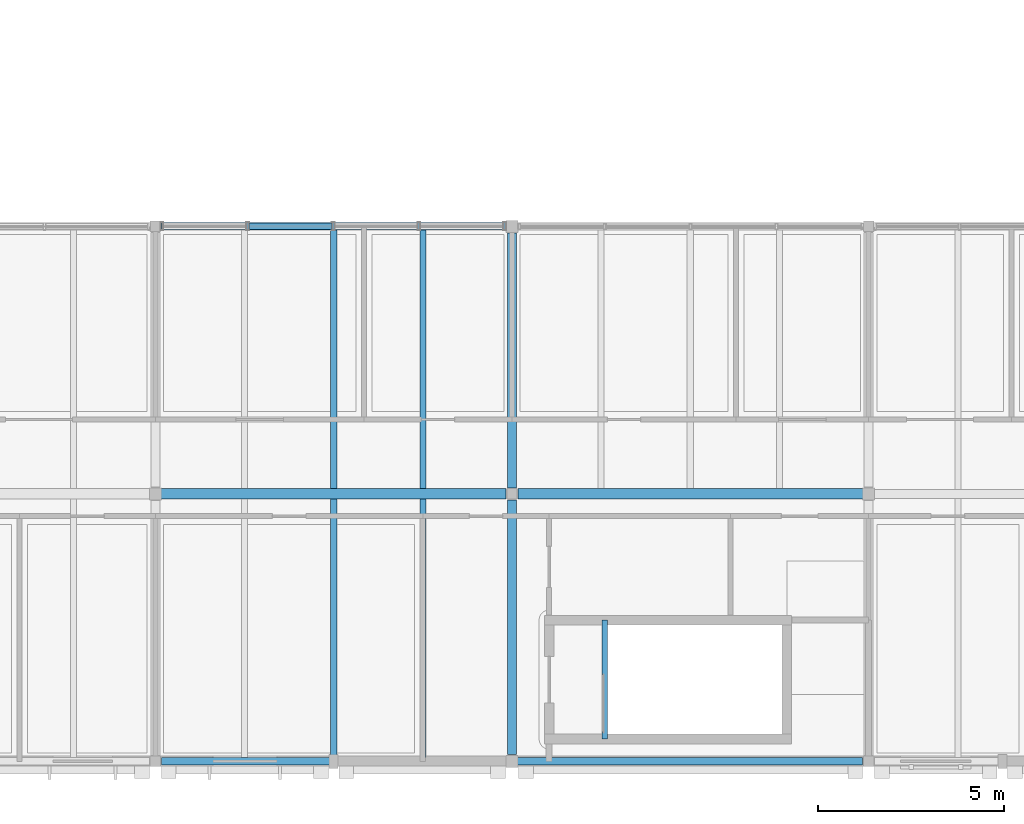
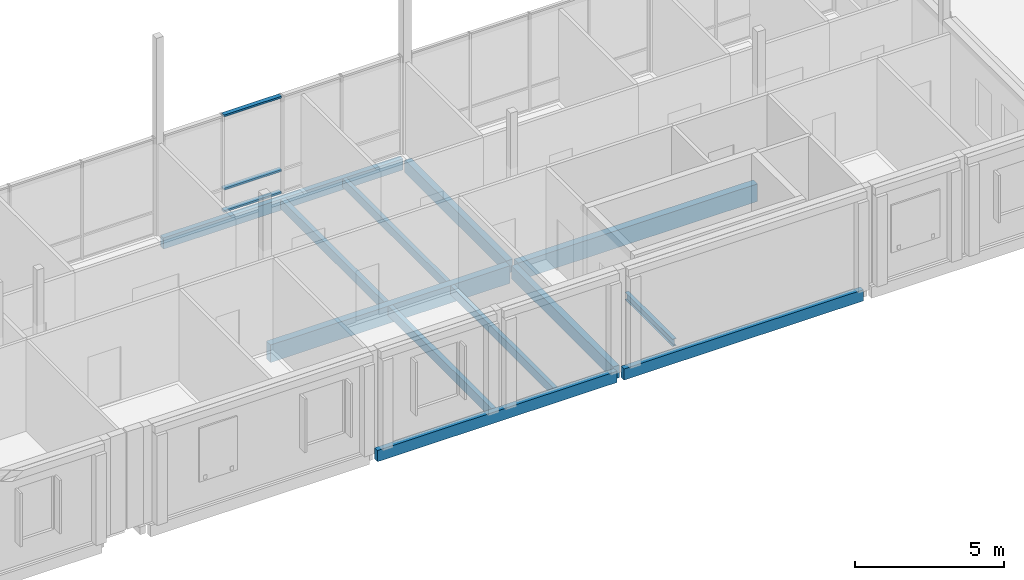
# One storey, part 22 of 57: 12 beams, 3 members, 1 element without a shape of its own.
"""IFC4 building model written with IfcOpenShell, lengths in metres."""

from ifc_helpers import new_model, si_unit, direction, frame, origin, origin_2d, place, context, subcontext, project, spatial, rectangle, hollow_rectangle, i_section, extrude, material, material_profile, profile_set, type_object, element, aggregate, save


model = new_model("IFC4")

# Units and contexts
model_context = context("Model", 3, precision=1e-05, world=origin(), true_north=direction((0.0, 1.0)))
body_context = subcontext(model_context, "Body", "Model", "MODEL_VIEW")
ifc_project = project(units=[si_unit("LENGTHUNIT", "METRE"), si_unit("AREAUNIT", "SQUARE_METRE"), si_unit("VOLUMEUNIT", "CUBIC_METRE"), si_unit("PLANEANGLEUNIT", "RADIAN"), si_unit("MASSUNIT", "GRAM", prefix="KILO")], contexts=[model_context])

# Site, building, storey
site_placement = place(None, origin())
site = spatial("IfcSite", under=ifc_project, at=site_placement, CompositionType="ELEMENT")
building_placement = place(site_placement, origin())
building = spatial("IfcBuilding", under=site, at=building_placement, Name="Hawrajan Terrace Health Centre", CompositionType="ELEMENT")
storey_placement = place(building_placement, frame((0.0, 0.0, 13.199951171875)))
storey = spatial("IfcBuildingStorey", under=building, at=storey_placement, Name="L03", CompositionType="ELEMENT", Elevation=13.199951171875)

# Curtain wall, members
ifc_material_1 = material(Name="Anodized bronze aluminium and low-E solar glazing", Category="aluminium")
curtain_wall_type = type_object("IfcCurtainWallType", Name="CW_Court_SeriesA2", PredefinedType="USERDEFINED", material=ifc_material_1)
curtain_wall_placement = place(storey_placement, origin())
curtain_wall = element("IfcCurtainWall", 1, at=curtain_wall_placement, inside=storey, type_object=curtain_wall_type, Name="Curtain wall CW-L03-170", ObjectType="UNITISED CURTAIN WALL", PredefinedType="USERDEFINED")
ifc_material_2 = material(Name="Anodized bronze aluminium 6063-T6", Category="aluminium")
ifc_material_profile_1 = material_profile(ifc_material_2, hollow_rectangle(XDim=0.074951171875, YDim=0.169921875, WallThickness=0.00439453125, at=origin_2d()), Name="CW TRN 75x170")
ifc_profile_set_1 = profile_set([ifc_material_profile_1], Name="Anodized bronze aluminium 6063-T6")
member_type = type_object("IfcMemberType", Name="CWTransom_75x170", PredefinedType="USERDEFINED", material=ifc_profile_set_1)
member_1_placement = place(storey_placement, frame((83.915283203125, 18.60009765625, 0.03759765625), z_axis=(1.0, 0.0, 0.0), x_axis=(0.0, 0.0, 1.0)))
member_1 = element("IfcMember", 2, at=member_1_placement, type_object=member_type, Name="Transom CW-L03-170-T2-1", ObjectType="TRANSOM", PredefinedType="USERDEFINED", context=body_context, shape_type="SweptSolid", body=[
    extrude(hollow_rectangle(XDim=0.074951171875, YDim=0.169921875, WallThickness=0.00439453125, at=origin_2d()), origin(), (0.0, 0.0, 1.0), 2.2431640625),
])
member_2_placement = place(storey_placement, frame((83.915283203125, 18.60009765625, 0.949951171875), z_axis=(1.0, 0.0, 0.0), x_axis=(0.0, 0.0, 1.0)))
member_2 = element("IfcMember", 3, at=member_2_placement, type_object=member_type, Name="Transom CW-L03-170-T2-2", ObjectType="TRANSOM", PredefinedType="USERDEFINED", context=body_context, shape_type="SweptSolid", body=[
    extrude(hollow_rectangle(XDim=0.074951171875, YDim=0.169921875, WallThickness=0.00439453125, at=origin_2d()), origin(), (0.0, 0.0, 1.0), 2.2431640625),
])
member_3_placement = place(storey_placement, frame((83.915283203125, 18.60009765625, 3.962646484375), z_axis=(1.0, 0.0, 0.0), x_axis=(0.0, 0.0, 1.0)))
member_3 = element("IfcMember", 4, at=member_3_placement, type_object=member_type, Name="Transom CW-L03-170-T2-3", ObjectType="TRANSOM", PredefinedType="USERDEFINED", context=body_context, shape_type="SweptSolid", body=[
    extrude(hollow_rectangle(XDim=0.074951171875, YDim=0.169921875, WallThickness=0.00439453125, at=origin_2d()), origin(), (0.0, 0.0, 1.0), 2.2431640625),
])
aggregate(curtain_wall, [member_1, member_2, member_3])

# Beams
ifc_material_3 = material(Name="Glulam GL32h", Category="wood")
ifc_material_profile_2 = material_profile(ifc_material_3, rectangle(XDim=0.239990234375, YDim=0.52001953125, at=origin_2d()), Name="GL BM 240x520")
ifc_profile_set_2 = profile_set([ifc_material_profile_2], Name="Glulam GL32h")
beam_type_1 = type_object("IfcBeamType", Name="GlulamGirder_240x520", PredefinedType="BEAM", material=ifc_profile_set_2)
beam_1_placement = place(storey_placement, frame((91.0, 4.3798828125, -0.469970703125), z_axis=(0.0, 1.0, 0.0), x_axis=(-1.0, 0.0, 0.0)))
element("IfcBeam", 5, at=beam_1_placement, inside=storey, type_object=beam_type_1, Name="Beam BM-Y-L03-C-X12-1", PredefinedType="BEAM", context=body_context, shape_type="SweptSolid", body=[
    extrude(rectangle(XDim=0.239990234375, YDim=0.52001953125, at=origin_2d()), origin(), (0.0, 0.0, 1.0), 6.860107421875),
])
beam_2_placement = place(storey_placement, frame((91.0, 11.56005859375, -0.469970703125), z_axis=(0.0, 1.0, 0.0), x_axis=(-1.0, 0.0, 0.0)))
element("IfcBeam", 6, at=beam_2_placement, inside=storey, type_object=beam_type_1, Name="Beam BM-Y-L03-C-X12-2", PredefinedType="BEAM", context=body_context, shape_type="SweptSolid", body=[
    extrude(rectangle(XDim=0.239990234375, YDim=0.52001953125, at=origin_2d()), origin(), (0.0, 0.0, 1.0), 6.85986328125),
])
ifc_material_profile_3 = material_profile(ifc_material_3, rectangle(XDim=0.280029296875, YDim=0.719970703125, at=origin_2d()), Name="GL BM 280x720")
ifc_profile_set_3 = profile_set([ifc_material_profile_3], Name="Glulam GL32h")
beam_type_2 = type_object("IfcBeamType", Name="GlulamGirder_280x720", PredefinedType="BEAM", material=ifc_profile_set_3)
for number, where, z_axis, x_axis, name in (
    (7, (81.5400390625, 11.39990234375, -0.570068359375), (1.0, 0.0, 0.0), (0.0, 1.0, 0.0), "Beam BM-X-L03-C-11-Y2"),
    (8, (91.159912109375, 11.39990234375, -0.570068359375), (1.0, 0.0, 0.0), (0.0, 1.0, 0.0), "Beam BM-X-L03-C-12-Y2"),
):
    element("IfcBeam", number, at=place(storey_placement, frame(where, z_axis=z_axis, x_axis=x_axis)), inside=storey, type_object=beam_type_2, Name=name, PredefinedType="BEAM", context=body_context, shape_type="SweptSolid", body=[
        extrude(rectangle(XDim=0.280029296875, YDim=0.719970703125, at=origin_2d()), origin(), (0.0, 0.0, 1.0), 9.300048828125),
    ])
ifc_material_4 = material(Name="Glulam GL28h", Category="wood")
ifc_material_profile_4 = material_profile(ifc_material_4, rectangle(XDim=0.159912109375, YDim=0.360107421875, at=origin_2d()), Name="GL JST 160x360")
ifc_profile_set_4 = profile_set([ifc_material_profile_4], Name="Glulam GL28h")
beam_type_3 = type_object("IfcBeamType", Name="GlulamJoist_160x360", PredefinedType="JOIST", material=ifc_profile_set_4)
for number, where, z_axis, x_axis, name in (
    (9, (88.60009765625, 4.300048828125, -0.389892578125), (0.0, 1.0, 0.0), (-1.0, 0.0, 0.0), "Secondary joist JST-L03-C-11-1-3"),
    (10, (88.60009765625, 11.5400390625, -0.389892578125), (0.0, 1.0, 0.0), (-1.0, 0.0, 0.0), "Secondary joist JST-L03-C-11-2-3"),
):
    element("IfcBeam", number, at=place(storey_placement, frame(where, z_axis=z_axis, x_axis=x_axis)), inside=storey, type_object=beam_type_3, Name=name, PredefinedType="JOIST", context=body_context, shape_type="SweptSolid", body=[
        extrude(rectangle(XDim=0.159912109375, YDim=0.360107421875, at=origin_2d()), origin(), (0.0, 0.0, 1.0), 6.9599609375),
    ])
ifc_material_profile_5 = material_profile(ifc_material_4, rectangle(XDim=0.179931640625, YDim=0.39990234375, at=origin_2d()), Name="GL JST 180x400")
ifc_profile_set_5 = profile_set([ifc_material_profile_5], Name="Glulam GL28h")
beam_type_4 = type_object("IfcBeamType", Name="GlulamJoist_180x400", PredefinedType="JOIST", material=ifc_profile_set_5)
for number, where, z_axis, x_axis, name in (
    (11, (86.199951171875, 4.300048828125, -0.409912109375), (0.0, 1.0, 0.0), (-1.0, 0.0, 0.0), "Secondary joist JST-L03-C-11-1-2"),
    (12, (86.199951171875, 11.5400390625, -0.409912109375), (0.0, 1.0, 0.0), (-1.0, 0.0, 0.0), "Secondary joist JST-L03-C-11-2-2"),
):
    element("IfcBeam", number, at=place(storey_placement, frame(where, z_axis=z_axis, x_axis=x_axis)), inside=storey, type_object=beam_type_4, Name=name, PredefinedType="JOIST", context=body_context, shape_type="SweptSolid", body=[
        extrude(rectangle(XDim=0.179931640625, YDim=0.39990234375, at=origin_2d()), origin(), (0.0, 0.0, 1.0), 6.9599609375),
    ])
ifc_material_profile_6 = material_profile(ifc_material_3, rectangle(XDim=0.199951171875, YDim=0.4599609375, at=origin_2d()), Name="GL SP 200x460")
ifc_profile_set_6 = profile_set([ifc_material_profile_6], Name="Glulam GL32h")
beam_type_5 = type_object("IfcBeamType", Name="GlulamSpandrel_200x460", PredefinedType="SPANDREL", material=ifc_profile_set_6)
for number, where, z_axis, x_axis, name in (
    (13, (81.56005859375, 4.199951171875, -0.43994140625), (1.0, 0.0, 0.0), (0.0, 1.0, 0.0), "Beam BM-X-L03-C-11-Y1"),
    (14, (81.56005859375, 18.60009765625, -0.43994140625), (1.0, 0.0, 0.0), (0.0, 1.0, 0.0), "Beam BM-X-L03-C-11-Y3"),
    (15, (91.139892578125, 4.199951171875, -0.43994140625), (1.0, 0.0, 0.0), (0.0, 1.0, 0.0), "Beam BM-X-L03-C-12-Y1"),
):
    element("IfcBeam", number, at=place(storey_placement, frame(where, z_axis=z_axis, x_axis=x_axis)), inside=storey, type_object=beam_type_5, Name=name, PredefinedType="SPANDREL", context=body_context, shape_type="SweptSolid", body=[
        extrude(rectangle(XDim=0.199951171875, YDim=0.4599609375, at=origin_2d()), origin(), (0.0, 0.0, 1.0), 9.300048828125),
    ])
ifc_material_5 = material(Name="Steel S355", Category="steel")
ifc_material_profile_7 = material_profile(ifc_material_5, i_section(OverallWidth=0.14990234375, OverallDepth=0.300048828125, WebThickness=0.007080078125, FlangeThickness=0.0107421875, FilletRadius=0.014892578125, at=origin_2d()), Name="IPE 300")
ifc_profile_set_7 = profile_set([ifc_material_profile_7], Name="Steel S355")
beam_type_6 = type_object("IfcBeamType", Name="SteelBeam_IPE300", PredefinedType="JOIST", material=ifc_profile_set_7)
beam_3_placement = place(storey_placement, frame((93.5, 4.800048828125, -0.369873046875), z_axis=(0.0, 1.0, 0.0), x_axis=(-1.0, 0.0, 0.0)))
element("IfcBeam", 16, at=beam_3_placement, inside=storey, type_object=beam_type_6, Name="Stair top trimmer ST-5", PredefinedType="JOIST", context=body_context, shape_type="SweptSolid", body=[
    extrude(i_section(OverallWidth=0.14990234375, OverallDepth=0.300048828125, WebThickness=0.007080078125, FlangeThickness=0.0107421875, FilletRadius=0.014892578125, at=origin_2d()), origin(), (0.0, 0.0, 1.0), 3.199951171875),
])

save(model, "model.ifc")
